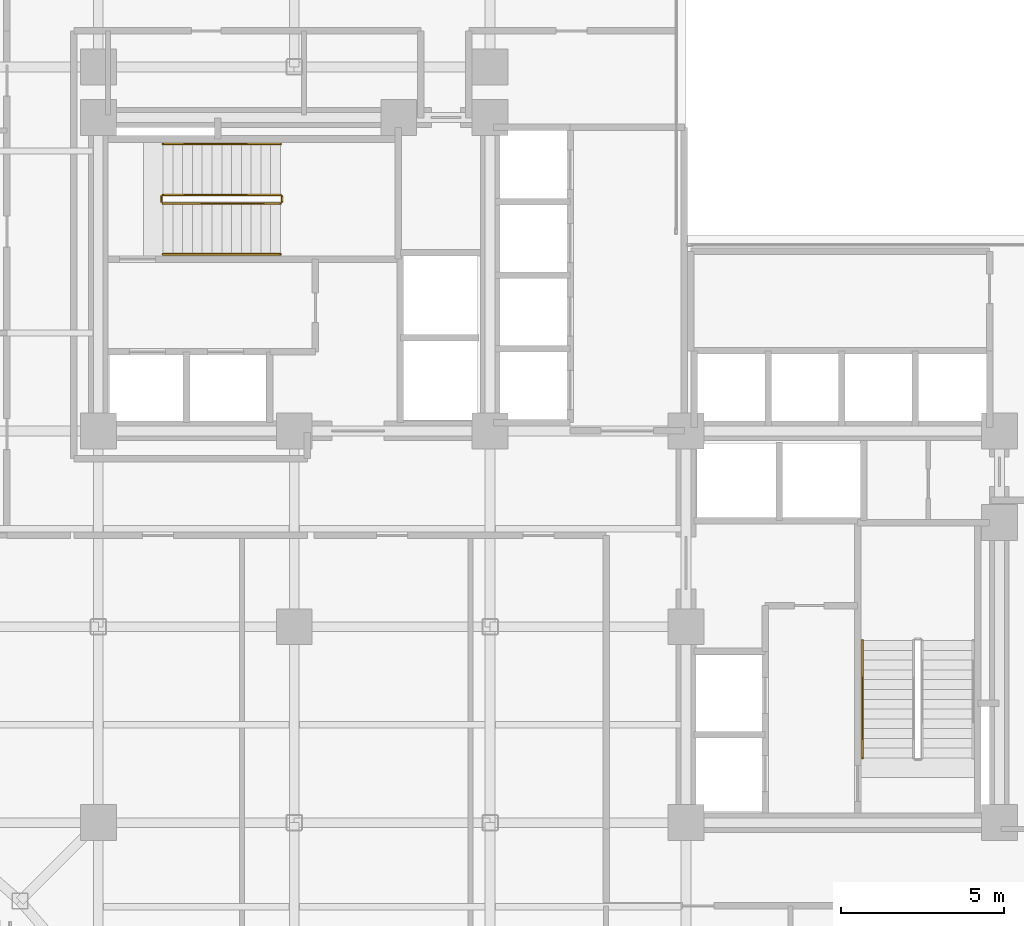
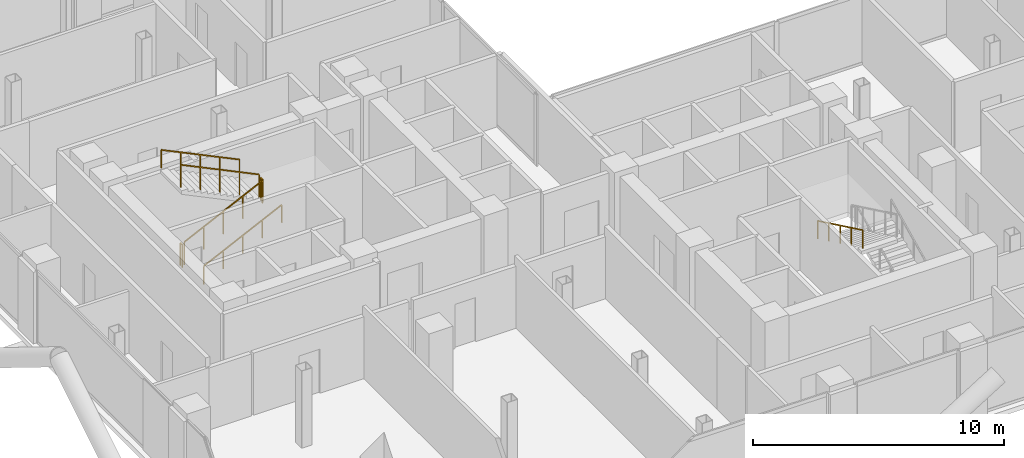
# One storey, part 26 of 28: 7 railings.
"""IFC4 building model written with IfcOpenShell, lengths in metres."""

from ifc_helpers import new_model, si_unit, direction, frame, origin, origin_2d, place, context, subcontext, project, spatial, rectangle, extrude, material, type_object, element, save


model = new_model("IFC4")

# Units and contexts
model_context = context("Model", 3, precision=1e-05, world=origin(), true_north=direction((0.0, 1.0)))
body_context = subcontext(model_context, "Body", "Model", "MODEL_VIEW")
ifc_project = project(units=[si_unit("LENGTHUNIT", "METRE"), si_unit("AREAUNIT", "SQUARE_METRE"), si_unit("VOLUMEUNIT", "CUBIC_METRE"), si_unit("PLANEANGLEUNIT", "RADIAN"), si_unit("MASSUNIT", "GRAM", prefix="KILO"), si_unit("THERMODYNAMICTEMPERATUREUNIT", "KELVIN"), si_unit("POWERUNIT", "WATT")], contexts=[model_context])

# Site, building, storey
site_placement = place(None, origin())
site = spatial("IfcSite", under=ifc_project, at=site_placement, CompositionType="ELEMENT")
building_placement = place(site_placement, origin())
building = spatial("IfcBuilding", under=site, at=building_placement, Name="Svarakhadi Broadcast Tower", CompositionType="ELEMENT")
storey_placement = place(building_placement, frame((0.0, 0.0, 107.10009765625)))
storey = spatial("IfcBuildingStorey", under=building, at=storey_placement, Name="L25", CompositionType="ELEMENT", Elevation=107.10009765625)

# Railings
ifc_material = material(Name="Anodised Bronze Aluminium AA 6063-T6", Category="aluminium")
railing_type_1 = type_object("IfcRailingType", Name="Guard_Stair_GR01", PredefinedType="GUARDRAIL", material=ifc_material)
railing_1_placement = place(storey_placement, frame((7.97998046875, 24.969970703125, 0.14404296875)))
element("IfcRailing", 1, at=railing_1_placement, inside=storey, type_object=railing_type_1, Name="L25 ST-01 stair guard 1", PredefinedType="GUARDRAIL", context=body_context, shape_type="SweptSolid", body=[
    extrude(rectangle(XDim=0.048095703125, YDim=0.048095703125, at=origin_2d()), frame((0.0, 0.0, 1.09619140625), z_axis=(0.901238654732, 0.0, 0.433323074871), x_axis=(0.0, 1.0, 0.0)), (0.0, 0.0, 1.0), 3.99462890625),
    extrude(rectangle(XDim=0.0419921875, YDim=0.0419921875, at=origin_2d()), origin(), (0.0, 0.0, 1.0), 1.072021484375),
    extrude(rectangle(XDim=0.0419921875, YDim=0.0419921875, at=origin_2d()), frame((0.89990234375, 0.0, 0.4326171875)), (0.0, 0.0, 1.0), 1.072021484375),
    extrude(rectangle(XDim=0.0419921875, YDim=0.0419921875, at=origin_2d()), frame((1.800048828125, 0.0, 0.865478515625)), (0.0, 0.0, 1.0), 1.072021484375),
    extrude(rectangle(XDim=0.0419921875, YDim=0.0419921875, at=origin_2d()), frame((2.7001953125, 0.0, 1.29833984375)), (0.0, 0.0, 1.0), 1.072021484375),
    extrude(rectangle(XDim=0.0419921875, YDim=0.0419921875, at=origin_2d()), frame((3.60009765625, 0.0, 1.73095703125)), (0.0, 0.0, 1.0), 1.072021484375),
])
railing_2_placement = place(storey_placement, frame((11.6298828125, 25.02001953125, 1.875)))
element("IfcRailing", 2, at=railing_2_placement, inside=storey, type_object=railing_type_1, Name="L25 ST-01 stair guard 2", PredefinedType="GUARDRAIL", context=body_context, shape_type="SweptSolid", body=[
    extrude(rectangle(XDim=0.048095703125, YDim=0.048095703125, at=origin_2d()), frame((0.0, 0.0, 1.09619140625), z_axis=(0.0, 1.0, 0.0), x_axis=(-1.0, 0.0, 0.0)), (0.0, 0.0, 1.0), 0.159912109375),
    extrude(rectangle(XDim=0.0419921875, YDim=0.0419921875, at=origin_2d()), origin(), (0.0, 0.0, 1.0), 1.072021484375),
    extrude(rectangle(XDim=0.0419921875, YDim=0.0419921875, at=origin_2d()), frame((0.0, 0.159912109375, 0.0)), (0.0, 0.0, 1.0), 1.072021484375),
])
railing_3_placement = place(storey_placement, frame((11.580078125, 25.22998046875, 2.01904296875)))
element("IfcRailing", 3, at=railing_3_placement, inside=storey, type_object=railing_type_1, Name="L25 ST-01 stair guard 3", PredefinedType="GUARDRAIL", context=body_context, shape_type="SweptSolid", body=[
    extrude(rectangle(XDim=0.048095703125, YDim=0.048095703125, at=origin_2d()), frame((0.0, 0.0, 1.09619140625), z_axis=(-0.901238654732, 0.0, 0.433323074871), x_axis=(0.0, -1.0, 0.0)), (0.0, 0.0, 1.0), 3.99462890625),
    extrude(rectangle(XDim=0.0419921875, YDim=0.0419921875, at=origin_2d()), origin(), (0.0, 0.0, 1.0), 1.072021484375),
    extrude(rectangle(XDim=0.0419921875, YDim=0.0419921875, at=origin_2d()), frame((-0.89990234375, 0.0, 0.4326171875)), (0.0, 0.0, 1.0), 1.072021484375),
    extrude(rectangle(XDim=0.0419921875, YDim=0.0419921875, at=origin_2d()), frame((-1.800048828125, 0.0, 0.865478515625)), (0.0, 0.0, 1.0), 1.072021484375),
    extrude(rectangle(XDim=0.0419921875, YDim=0.0419921875, at=origin_2d()), frame((-2.7001953125, 0.0, 1.29833984375)), (0.0, 0.0, 1.0), 1.072021484375),
    extrude(rectangle(XDim=0.0419921875, YDim=0.0419921875, at=origin_2d()), frame((-3.60009765625, 0.0, 1.73095703125)), (0.0, 0.0, 1.0), 1.072021484375),
])
railing_4_placement = place(storey_placement, frame((7.929931640625, 25.02001953125, 0.0)))
element("IfcRailing", 4, at=railing_4_placement, inside=storey, type_object=railing_type_1, Name="L25 ST-01 stair guard 4", PredefinedType="GUARDRAIL", context=body_context, shape_type="SweptSolid", body=[
    extrude(rectangle(XDim=0.048095703125, YDim=0.048095703125, at=origin_2d()), frame((0.0, 0.0, 1.09619140625), z_axis=(0.0, 1.0, 0.0), x_axis=(-1.0, 0.0, 0.0)), (0.0, 0.0, 1.0), 0.159912109375),
    extrude(rectangle(XDim=0.0419921875, YDim=0.0419921875, at=origin_2d()), origin(), (0.0, 0.0, 1.0), 1.072021484375),
    extrude(rectangle(XDim=0.0419921875, YDim=0.0419921875, at=origin_2d()), frame((0.0, 0.159912109375, 0.0)), (0.0, 0.0, 1.0), 1.072021484375),
])
railing_type_2 = type_object("IfcRailingType", Name="Handrail_Stair_HR01", PredefinedType="HANDRAIL", material=ifc_material)
railing_5_placement = place(storey_placement, frame((7.97998046875, 23.409912109375, 0.14404296875)))
element("IfcRailing", 5, at=railing_5_placement, inside=storey, type_object=railing_type_2, Name="L25 ST-01 stair handrail 1", PredefinedType="HANDRAIL", context=body_context, shape_type="SweptSolid", body=[
    extrude(rectangle(XDim=0.048095703125, YDim=0.048095703125, at=origin_2d()), frame((0.0, 0.0, 0.8759765625), z_axis=(0.901238654732, 0.0, 0.433323074871), x_axis=(0.0, 1.0, 0.0)), (0.0, 0.0, 1.0), 3.99462890625),
    extrude(rectangle(XDim=0.0419921875, YDim=0.0419921875, at=origin_2d()), origin(), (0.0, 0.0, 1.0), 0.851806640625),
    extrude(rectangle(XDim=0.0419921875, YDim=0.0419921875, at=origin_2d()), frame((0.89990234375, 0.0, 0.4326171875)), (0.0, 0.0, 1.0), 0.851806640625),
    extrude(rectangle(XDim=0.0419921875, YDim=0.0419921875, at=origin_2d()), frame((1.800048828125, 0.0, 0.865478515625)), (0.0, 0.0, 1.0), 0.851806640625),
    extrude(rectangle(XDim=0.0419921875, YDim=0.0419921875, at=origin_2d()), frame((2.7001953125, 0.0, 1.29833984375)), (0.0, 0.0, 1.0), 0.851806640625),
    extrude(rectangle(XDim=0.0419921875, YDim=0.0419921875, at=origin_2d()), frame((3.60009765625, 0.0, 1.73095703125)), (0.0, 0.0, 1.0), 0.851806640625),
])
railing_6_placement = place(storey_placement, frame((11.580078125, 26.7900390625, 2.01904296875)))
element("IfcRailing", 6, at=railing_6_placement, inside=storey, type_object=railing_type_2, Name="L25 ST-01 stair handrail 2", PredefinedType="HANDRAIL", context=body_context, shape_type="SweptSolid", body=[
    extrude(rectangle(XDim=0.048095703125, YDim=0.048095703125, at=origin_2d()), frame((0.0, 0.0, 0.8759765625), z_axis=(-0.901238654732, 0.0, 0.433323074871), x_axis=(0.0, -1.0, 0.0)), (0.0, 0.0, 1.0), 3.99462890625),
    extrude(rectangle(XDim=0.0419921875, YDim=0.0419921875, at=origin_2d()), origin(), (0.0, 0.0, 1.0), 0.851806640625),
    extrude(rectangle(XDim=0.0419921875, YDim=0.0419921875, at=origin_2d()), frame((-0.89990234375, 0.0, 0.4326171875)), (0.0, 0.0, 1.0), 0.851806640625),
    extrude(rectangle(XDim=0.0419921875, YDim=0.0419921875, at=origin_2d()), frame((-1.800048828125, 0.0, 0.865478515625)), (0.0, 0.0, 1.0), 0.851806640625),
    extrude(rectangle(XDim=0.0419921875, YDim=0.0419921875, at=origin_2d()), frame((-2.7001953125, 0.0, 1.29833984375)), (0.0, 0.0, 1.0), 0.851806640625),
    extrude(rectangle(XDim=0.0419921875, YDim=0.0419921875, at=origin_2d()), frame((-3.60009765625, 0.0, 1.73095703125)), (0.0, 0.0, 1.0), 0.851806640625),
])
railing_7_placement = place(storey_placement, frame((29.409912109375, 11.580078125, 2.01904296875)))
element("IfcRailing", 7, at=railing_7_placement, inside=storey, type_object=railing_type_2, Name="L25 ST-02 stair handrail 2", PredefinedType="HANDRAIL", context=body_context, shape_type="SweptSolid", body=[
    extrude(rectangle(XDim=0.048095703125, YDim=0.048095703125, at=origin_2d()), frame((0.0, 0.0, 0.8759765625), z_axis=(0.0, -0.901238654732, 0.433323074871), x_axis=(1.0, 0.0, 0.0)), (0.0, 0.0, 1.0), 3.99462890625),
    extrude(rectangle(XDim=0.0419921875, YDim=0.0419921875, at=origin_2d()), origin(), (0.0, 0.0, 1.0), 0.851806640625),
    extrude(rectangle(XDim=0.0419921875, YDim=0.0419921875, at=origin_2d()), frame((0.0, -0.89990234375, 0.4326171875)), (0.0, 0.0, 1.0), 0.851806640625),
    extrude(rectangle(XDim=0.0419921875, YDim=0.0419921875, at=origin_2d()), frame((0.0, -1.800048828125, 0.865478515625)), (0.0, 0.0, 1.0), 0.851806640625),
    extrude(rectangle(XDim=0.0419921875, YDim=0.0419921875, at=origin_2d()), frame((0.0, -2.7001953125, 1.29833984375)), (0.0, 0.0, 1.0), 0.851806640625),
    extrude(rectangle(XDim=0.0419921875, YDim=0.0419921875, at=origin_2d()), frame((0.0, -3.60009765625, 1.73095703125)), (0.0, 0.0, 1.0), 0.851806640625),
])

save(model, "model.ifc")
